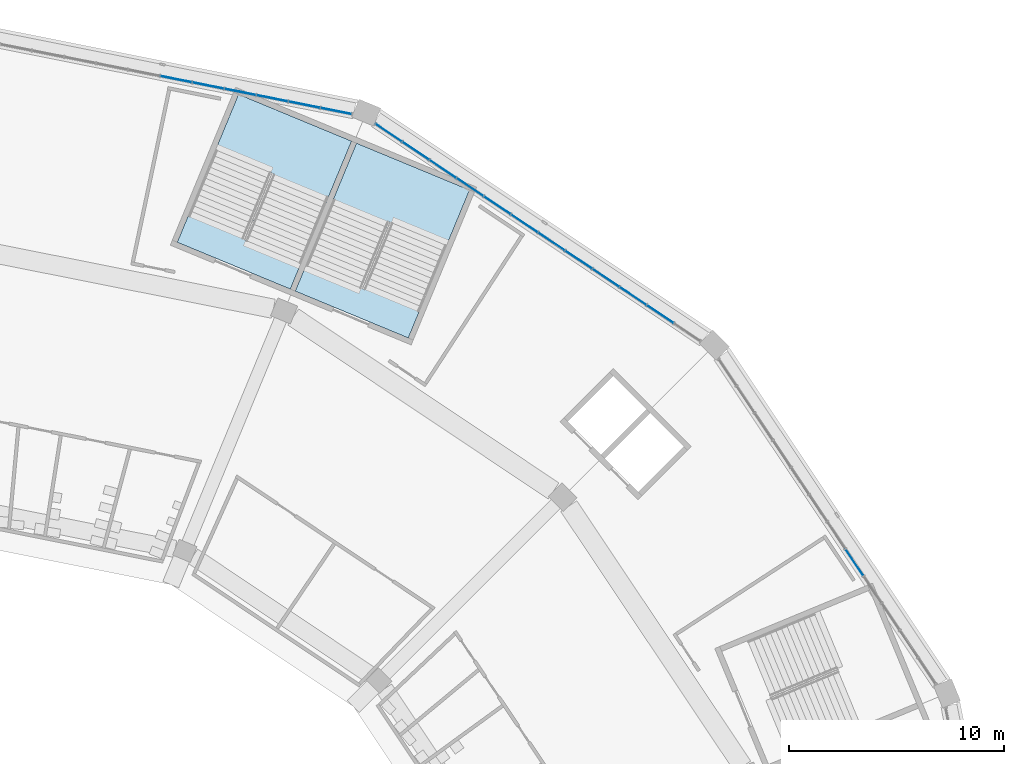
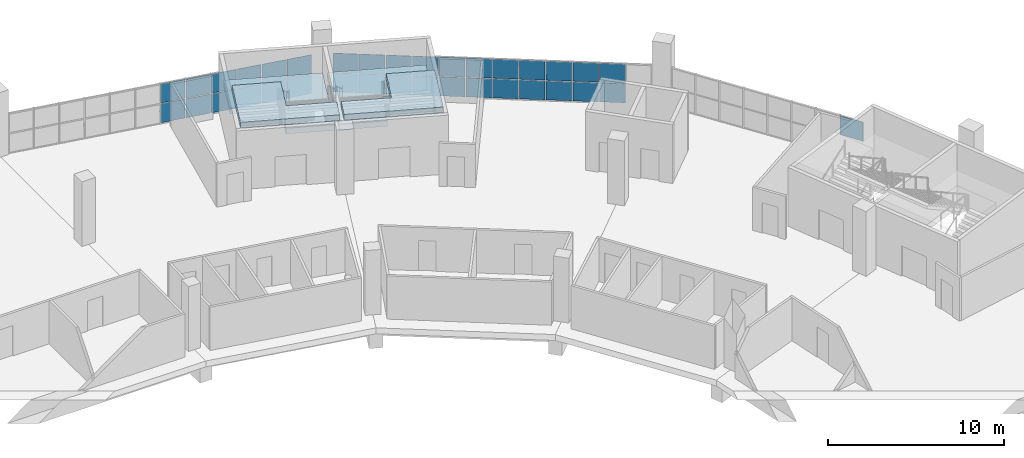
# One storey, part 73 of 199: 35 plates, 4 slabs, 5 elements without a shape of their own.
"""IFC4 building model written with IfcOpenShell, lengths in metres."""

from ifc_helpers import new_model, si_unit, direction, frame, origin, origin_2d, place, context, subcontext, project, spatial, polyline, rectangle, outline, extrude, material, layer, layer_set, type_object, element, aggregate, save


model = new_model("IFC4")

# Units and contexts
model_context = context("Model", 3, precision=1e-05, world=origin(), true_north=direction((0.0, 1.0)))
body_context = subcontext(model_context, "Body", "Model", "MODEL_VIEW")
ifc_project = project(units=[si_unit("LENGTHUNIT", "METRE"), si_unit("AREAUNIT", "SQUARE_METRE"), si_unit("VOLUMEUNIT", "CUBIC_METRE"), si_unit("PLANEANGLEUNIT", "RADIAN"), si_unit("MASSUNIT", "GRAM", prefix="KILO")], contexts=[model_context])

# Site, building, storey
site_placement = place(None, origin())
site = spatial("IfcSite", under=ifc_project, at=site_placement, CompositionType="ELEMENT")
building_placement = place(site_placement, origin())
building = spatial("IfcBuilding", under=site, at=building_placement, Name="Ogive Plaza Stadium", CompositionType="ELEMENT")
storey_placement = place(building_placement, frame((0.0, 0.0, 4.5)))
storey = spatial("IfcBuildingStorey", under=building, at=storey_placement, Name="L01", CompositionType="ELEMENT", Elevation=4.5)

# Curtain wall, plates
ifc_material_1 = material(Name="Bronze-anodised aluminium with laminated glass", Category="aluminium")
curtain_wall_type = type_object("IfcCurtainWallType", Name="Lancet curtain wall", PredefinedType="NOTDEFINED", material=ifc_material_1)
curtain_wall_1_placement = place(storey_placement, origin())
curtain_wall_1 = element("IfcCurtainWall", 1, at=curtain_wall_1_placement, inside=storey, type_object=curtain_wall_type, Name="CURTAIN WALL B37 L01", PredefinedType="NOTDEFINED")
ifc_material_2 = material(Name="Laminated glass", Category="glass")
ifc_layer_1 = layer(ifc_material_2, 0.028076171875)
ifc_layer_set_1 = layer_set([ifc_layer_1], Name="Laminated glass panel 28")
plate_type = type_object("IfcPlateType", Name="Laminated glass panel 28", PredefinedType="CURTAIN_PANEL", material=ifc_layer_set_1)
plate_1_placement = place(storey_placement, frame((44.274658203125, 100.25244140625, 0.0498046875), z_axis=(0.0, 0.0, 1.0), x_axis=(0.9807852804, -0.195090322033, 0.0)))
plate_1 = element("IfcPlate", 2, at=plate_1_placement, type_object=plate_type, Name="CW-B37-L01 panel 7.1", PredefinedType="CURTAIN_PANEL", context=body_context, shape_type="SweptSolid", body=[
    extrude(rectangle(XDim=1.472412109375, YDim=0.028076171875, at=origin_2d()), origin(), (0.0, 0.0, 1.0), 1.320068359375),
])
plate_2_placement = place(storey_placement, frame((44.274658203125, 100.25244140625, 1.419921875), z_axis=(0.0, 0.0, 1.0), x_axis=(0.9807852804, -0.195090322033, 0.0)))
plate_2 = element("IfcPlate", 3, at=plate_2_placement, type_object=plate_type, Name="CW-B37-L01 panel 7.2", PredefinedType="CURTAIN_PANEL", context=body_context, shape_type="SweptSolid", body=[
    extrude(rectangle(XDim=1.472412109375, YDim=0.028076171875, at=origin_2d()), origin(), (0.0, 0.0, 1.0), 1.320068359375),
])
plate_3_placement = place(storey_placement, frame((45.767822265625, 99.955322265625, 0.0498046875), z_axis=(0.0, 0.0, 1.0), x_axis=(0.9807852804, -0.195090322033, 0.0)))
plate_3 = element("IfcPlate", 4, at=plate_3_placement, type_object=plate_type, Name="CW-B37-L01 panel 8.1", PredefinedType="CURTAIN_PANEL", context=body_context, shape_type="SweptSolid", body=[
    extrude(rectangle(XDim=1.472412109375, YDim=0.028076171875, at=origin_2d()), origin(), (0.0, 0.0, 1.0), 1.320068359375),
])
plate_4_placement = place(storey_placement, frame((45.767822265625, 99.955322265625, 1.419921875), z_axis=(0.0, 0.0, 1.0), x_axis=(0.9807852804, -0.195090322033, 0.0)))
plate_4 = element("IfcPlate", 5, at=plate_4_placement, type_object=plate_type, Name="CW-B37-L01 panel 8.2", PredefinedType="CURTAIN_PANEL", context=body_context, shape_type="SweptSolid", body=[
    extrude(rectangle(XDim=1.472412109375, YDim=0.028076171875, at=origin_2d()), origin(), (0.0, 0.0, 1.0), 1.320068359375),
])
plate_5_placement = place(storey_placement, frame((47.2607421875, 99.658447265625, 0.0498046875), z_axis=(0.0, 0.0, 1.0), x_axis=(0.9807852804, -0.195090322033, 0.0)))
plate_5 = element("IfcPlate", 6, at=plate_5_placement, type_object=plate_type, Name="CW-B37-L01 panel 9.1", PredefinedType="CURTAIN_PANEL", context=body_context, shape_type="SweptSolid", body=[
    extrude(rectangle(XDim=1.472412109375, YDim=0.028076171875, at=origin_2d()), origin(), (0.0, 0.0, 1.0), 1.320068359375),
])
plate_6_placement = place(storey_placement, frame((47.2607421875, 99.658447265625, 1.419921875), z_axis=(0.0, 0.0, 1.0), x_axis=(0.9807852804, -0.195090322033, 0.0)))
plate_6 = element("IfcPlate", 7, at=plate_6_placement, type_object=plate_type, Name="CW-B37-L01 panel 9.2", PredefinedType="CURTAIN_PANEL", context=body_context, shape_type="SweptSolid", body=[
    extrude(rectangle(XDim=1.472412109375, YDim=0.028076171875, at=origin_2d()), origin(), (0.0, 0.0, 1.0), 1.320068359375),
])
plate_7_placement = place(storey_placement, frame((48.75390625, 99.361328125, 0.0498046875), z_axis=(0.0, 0.0, 1.0), x_axis=(0.9807852804, -0.195090322033, 0.0)))
plate_7 = element("IfcPlate", 8, at=plate_7_placement, type_object=plate_type, Name="CW-B37-L01 panel 10.1", PredefinedType="CURTAIN_PANEL", context=body_context, shape_type="SweptSolid", body=[
    extrude(rectangle(XDim=1.472412109375, YDim=0.028076171875, at=origin_2d()), origin(), (0.0, 0.0, 1.0), 1.320068359375),
])
plate_8_placement = place(storey_placement, frame((48.75390625, 99.361328125, 1.419921875), z_axis=(0.0, 0.0, 1.0), x_axis=(0.9807852804, -0.195090322033, 0.0)))
plate_8 = element("IfcPlate", 9, at=plate_8_placement, type_object=plate_type, Name="CW-B37-L01 panel 10.2", PredefinedType="CURTAIN_PANEL", context=body_context, shape_type="SweptSolid", body=[
    extrude(rectangle(XDim=1.472412109375, YDim=0.028076171875, at=origin_2d()), origin(), (0.0, 0.0, 1.0), 1.320068359375),
])
plate_9_placement = place(storey_placement, frame((50.2470703125, 99.064453125, 0.0498046875), z_axis=(0.0, 0.0, 1.0), x_axis=(0.9807852804, -0.195090322033, 0.0)))
plate_9 = element("IfcPlate", 10, at=plate_9_placement, type_object=plate_type, Name="CW-B37-L01 panel 11.1", PredefinedType="CURTAIN_PANEL", context=body_context, shape_type="SweptSolid", body=[
    extrude(rectangle(XDim=1.472412109375, YDim=0.028076171875, at=origin_2d()), origin(), (0.0, 0.0, 1.0), 1.320068359375),
])
plate_10_placement = place(storey_placement, frame((50.2470703125, 99.064453125, 1.419921875), z_axis=(0.0, 0.0, 1.0), x_axis=(0.9807852804, -0.195090322033, 0.0)))
plate_10 = element("IfcPlate", 11, at=plate_10_placement, type_object=plate_type, Name="CW-B37-L01 panel 11.2", PredefinedType="CURTAIN_PANEL", context=body_context, shape_type="SweptSolid", body=[
    extrude(rectangle(XDim=1.472412109375, YDim=0.028076171875, at=origin_2d()), origin(), (0.0, 0.0, 1.0), 1.320068359375),
])
plate_11_placement = place(storey_placement, frame((51.727783203125, 98.769775390625, 0.0498046875), z_axis=(0.0, 0.0, 1.0), x_axis=(0.9807852804, -0.195090322033, 0.0)))
plate_11 = element("IfcPlate", 12, at=plate_11_placement, type_object=plate_type, Name="CW-B37-L01 panel 12.1", PredefinedType="CURTAIN_PANEL", context=body_context, shape_type="SweptSolid", body=[
    extrude(rectangle(XDim=1.447265625, YDim=0.028076171875, at=origin_2d()), origin(), (0.0, 0.0, 1.0), 1.320068359375),
])
plate_12_placement = place(storey_placement, frame((51.727783203125, 98.769775390625, 1.419921875), z_axis=(0.0, 0.0, 1.0), x_axis=(0.9807852804, -0.195090322033, 0.0)))
plate_12 = element("IfcPlate", 13, at=plate_12_placement, type_object=plate_type, Name="CW-B37-L01 panel 12.2", PredefinedType="CURTAIN_PANEL", context=body_context, shape_type="SweptSolid", body=[
    extrude(rectangle(XDim=1.447265625, YDim=0.028076171875, at=origin_2d()), origin(), (0.0, 0.0, 1.0), 1.320068359375),
])
aggregate(curtain_wall_1, [plate_1, plate_2, plate_3, plate_4, plate_5, plate_6, plate_7, plate_8, plate_9, plate_10, plate_11, plate_12])

curtain_wall_2_placement = place(storey_placement, origin())
curtain_wall_2 = element("IfcCurtainWall", 14, at=curtain_wall_2_placement, inside=storey, type_object=curtain_wall_type, Name="CURTAIN WALL B38 L01", PredefinedType="NOTDEFINED")
plate_13_placement = place(storey_placement, frame((54.18212890625, 97.753173828125, 0.0498046875), z_axis=(0.0, 0.0, 1.0), x_axis=(0.831469612303, -0.55557023302, 0.0)))
plate_13 = element("IfcPlate", 15, at=plate_13_placement, type_object=plate_type, Name="CW-B38-L01 panel 1.1", PredefinedType="CURTAIN_PANEL", context=body_context, shape_type="SweptSolid", body=[
    extrude(rectangle(XDim=1.447265625, YDim=0.028076171875, at=origin_2d()), origin(), (0.0, 0.0, 1.0), 1.320068359375),
])
plate_14_placement = place(storey_placement, frame((54.18212890625, 97.753173828125, 1.419921875), z_axis=(0.0, 0.0, 1.0), x_axis=(0.831469612303, -0.55557023302, 0.0)))
plate_14 = element("IfcPlate", 16, at=plate_14_placement, type_object=plate_type, Name="CW-B38-L01 panel 1.2", PredefinedType="CURTAIN_PANEL", context=body_context, shape_type="SweptSolid", body=[
    extrude(rectangle(XDim=1.447265625, YDim=0.028076171875, at=origin_2d()), origin(), (0.0, 0.0, 1.0), 1.320068359375),
])
plate_15_placement = place(storey_placement, frame((55.4375, 96.914306640625, 0.0498046875), z_axis=(0.0, 0.0, 1.0), x_axis=(0.831469612303, -0.55557023302, 0.0)))
plate_15 = element("IfcPlate", 17, at=plate_15_placement, type_object=plate_type, Name="CW-B38-L01 panel 2.1", PredefinedType="CURTAIN_PANEL", context=body_context, shape_type="SweptSolid", body=[
    extrude(rectangle(XDim=1.472412109375, YDim=0.028076171875, at=origin_2d()), origin(), (0.0, 0.0, 1.0), 1.320068359375),
])
plate_16_placement = place(storey_placement, frame((55.4375, 96.914306640625, 1.419921875), z_axis=(0.0, 0.0, 1.0), x_axis=(0.831469612303, -0.55557023302, 0.0)))
plate_16 = element("IfcPlate", 18, at=plate_16_placement, type_object=plate_type, Name="CW-B38-L01 panel 2.2", PredefinedType="CURTAIN_PANEL", context=body_context, shape_type="SweptSolid", body=[
    extrude(rectangle(XDim=1.472412109375, YDim=0.028076171875, at=origin_2d()), origin(), (0.0, 0.0, 1.0), 1.320068359375),
])
plate_17_placement = place(storey_placement, frame((56.703369140625, 96.068603515625, 0.0498046875), z_axis=(0.0, 0.0, 1.0), x_axis=(0.831469612303, -0.55557023302, 0.0)))
plate_17 = element("IfcPlate", 19, at=plate_17_placement, type_object=plate_type, Name="CW-B38-L01 panel 3.1", PredefinedType="CURTAIN_PANEL", context=body_context, shape_type="SweptSolid", body=[
    extrude(rectangle(XDim=1.472412109375, YDim=0.028076171875, at=origin_2d()), origin(), (0.0, 0.0, 1.0), 1.320068359375),
])
plate_18_placement = place(storey_placement, frame((56.703369140625, 96.068603515625, 1.419921875), z_axis=(0.0, 0.0, 1.0), x_axis=(0.831469612303, -0.55557023302, 0.0)))
plate_18 = element("IfcPlate", 20, at=plate_18_placement, type_object=plate_type, Name="CW-B38-L01 panel 3.2", PredefinedType="CURTAIN_PANEL", context=body_context, shape_type="SweptSolid", body=[
    extrude(rectangle(XDim=1.472412109375, YDim=0.028076171875, at=origin_2d()), origin(), (0.0, 0.0, 1.0), 1.320068359375),
])
plate_19_placement = place(storey_placement, frame((57.96923828125, 95.222900390625, 0.0498046875), z_axis=(0.0, 0.0, 1.0), x_axis=(0.831469612303, -0.55557023302, 0.0)))
plate_19 = element("IfcPlate", 21, at=plate_19_placement, type_object=plate_type, Name="CW-B38-L01 panel 4.1", PredefinedType="CURTAIN_PANEL", context=body_context, shape_type="SweptSolid", body=[
    extrude(rectangle(XDim=1.472412109375, YDim=0.028076171875, at=origin_2d()), origin(), (0.0, 0.0, 1.0), 1.320068359375),
])
plate_20_placement = place(storey_placement, frame((57.96923828125, 95.222900390625, 1.419921875), z_axis=(0.0, 0.0, 1.0), x_axis=(0.831469612303, -0.55557023302, 0.0)))
plate_20 = element("IfcPlate", 22, at=plate_20_placement, type_object=plate_type, Name="CW-B38-L01 panel 4.2", PredefinedType="CURTAIN_PANEL", context=body_context, shape_type="SweptSolid", body=[
    extrude(rectangle(XDim=1.472412109375, YDim=0.028076171875, at=origin_2d()), origin(), (0.0, 0.0, 1.0), 1.320068359375),
])
plate_21_placement = place(storey_placement, frame((59.23486328125, 94.376953125, 0.0498046875), z_axis=(0.0, 0.0, 1.0), x_axis=(0.831469612303, -0.55557023302, 0.0)))
plate_21 = element("IfcPlate", 23, at=plate_21_placement, type_object=plate_type, Name="CW-B38-L01 panel 5.1", PredefinedType="CURTAIN_PANEL", context=body_context, shape_type="SweptSolid", body=[
    extrude(rectangle(XDim=1.472412109375, YDim=0.028076171875, at=origin_2d()), origin(), (0.0, 0.0, 1.0), 1.320068359375),
])
plate_22_placement = place(storey_placement, frame((59.23486328125, 94.376953125, 1.419921875), z_axis=(0.0, 0.0, 1.0), x_axis=(0.831469612303, -0.55557023302, 0.0)))
plate_22 = element("IfcPlate", 24, at=plate_22_placement, type_object=plate_type, Name="CW-B38-L01 panel 5.2", PredefinedType="CURTAIN_PANEL", context=body_context, shape_type="SweptSolid", body=[
    extrude(rectangle(XDim=1.472412109375, YDim=0.028076171875, at=origin_2d()), origin(), (0.0, 0.0, 1.0), 1.320068359375),
])
plate_23_placement = place(storey_placement, frame((60.500732421875, 93.53125, 0.0498046875), z_axis=(0.0, 0.0, 1.0), x_axis=(0.831469612303, -0.55557023302, 0.0)))
plate_23 = element("IfcPlate", 25, at=plate_23_placement, type_object=plate_type, Name="CW-B38-L01 panel 6.1", PredefinedType="CURTAIN_PANEL", context=body_context, shape_type="SweptSolid", body=[
    extrude(rectangle(XDim=1.472412109375, YDim=0.028076171875, at=origin_2d()), origin(), (0.0, 0.0, 1.0), 1.320068359375),
])
plate_24_placement = place(storey_placement, frame((60.500732421875, 93.53125, 1.419921875), z_axis=(0.0, 0.0, 1.0), x_axis=(0.831469612303, -0.55557023302, 0.0)))
plate_24 = element("IfcPlate", 26, at=plate_24_placement, type_object=plate_type, Name="CW-B38-L01 panel 6.2", PredefinedType="CURTAIN_PANEL", context=body_context, shape_type="SweptSolid", body=[
    extrude(rectangle(XDim=1.472412109375, YDim=0.028076171875, at=origin_2d()), origin(), (0.0, 0.0, 1.0), 1.320068359375),
])
plate_25_placement = place(storey_placement, frame((61.7666015625, 92.685546875, 0.0498046875), z_axis=(0.0, 0.0, 1.0), x_axis=(0.831469612303, -0.55557023302, 0.0)))
plate_25 = element("IfcPlate", 27, at=plate_25_placement, type_object=plate_type, Name="CW-B38-L01 panel 7.1", PredefinedType="CURTAIN_PANEL", context=body_context, shape_type="SweptSolid", body=[
    extrude(rectangle(XDim=1.472412109375, YDim=0.028076171875, at=origin_2d()), origin(), (0.0, 0.0, 1.0), 1.320068359375),
])
plate_26_placement = place(storey_placement, frame((61.7666015625, 92.685546875, 1.419921875), z_axis=(0.0, 0.0, 1.0), x_axis=(0.831469612303, -0.55557023302, 0.0)))
plate_26 = element("IfcPlate", 28, at=plate_26_placement, type_object=plate_type, Name="CW-B38-L01 panel 7.2", PredefinedType="CURTAIN_PANEL", context=body_context, shape_type="SweptSolid", body=[
    extrude(rectangle(XDim=1.472412109375, YDim=0.028076171875, at=origin_2d()), origin(), (0.0, 0.0, 1.0), 1.320068359375),
])
plate_27_placement = place(storey_placement, frame((63.0322265625, 91.839599609375, 0.0498046875), z_axis=(0.0, 0.0, 1.0), x_axis=(0.831469612303, -0.55557023302, 0.0)))
plate_27 = element("IfcPlate", 29, at=plate_27_placement, type_object=plate_type, Name="CW-B38-L01 panel 8.1", PredefinedType="CURTAIN_PANEL", context=body_context, shape_type="SweptSolid", body=[
    extrude(rectangle(XDim=1.472412109375, YDim=0.028076171875, at=origin_2d()), origin(), (0.0, 0.0, 1.0), 1.320068359375),
])
plate_28_placement = place(storey_placement, frame((63.0322265625, 91.839599609375, 1.419921875), z_axis=(0.0, 0.0, 1.0), x_axis=(0.831469612303, -0.55557023302, 0.0)))
plate_28 = element("IfcPlate", 30, at=plate_28_placement, type_object=plate_type, Name="CW-B38-L01 panel 8.2", PredefinedType="CURTAIN_PANEL", context=body_context, shape_type="SweptSolid", body=[
    extrude(rectangle(XDim=1.472412109375, YDim=0.028076171875, at=origin_2d()), origin(), (0.0, 0.0, 1.0), 1.320068359375),
])
plate_29_placement = place(storey_placement, frame((64.298095703125, 90.993896484375, 0.0498046875), z_axis=(0.0, 0.0, 1.0), x_axis=(0.831469612303, -0.55557023302, 0.0)))
plate_29 = element("IfcPlate", 31, at=plate_29_placement, type_object=plate_type, Name="CW-B38-L01 panel 9.1", PredefinedType="CURTAIN_PANEL", context=body_context, shape_type="SweptSolid", body=[
    extrude(rectangle(XDim=1.472412109375, YDim=0.028076171875, at=origin_2d()), origin(), (0.0, 0.0, 1.0), 1.320068359375),
])
plate_30_placement = place(storey_placement, frame((64.298095703125, 90.993896484375, 1.419921875), z_axis=(0.0, 0.0, 1.0), x_axis=(0.831469612303, -0.55557023302, 0.0)))
plate_30 = element("IfcPlate", 32, at=plate_30_placement, type_object=plate_type, Name="CW-B38-L01 panel 9.2", PredefinedType="CURTAIN_PANEL", context=body_context, shape_type="SweptSolid", body=[
    extrude(rectangle(XDim=1.472412109375, YDim=0.028076171875, at=origin_2d()), origin(), (0.0, 0.0, 1.0), 1.320068359375),
])
plate_31_placement = place(storey_placement, frame((65.56396484375, 90.148193359375, 0.0498046875), z_axis=(0.0, 0.0, 1.0), x_axis=(0.831469612303, -0.55557023302, 0.0)))
plate_31 = element("IfcPlate", 33, at=plate_31_placement, type_object=plate_type, Name="CW-B38-L01 panel 10.1", PredefinedType="CURTAIN_PANEL", context=body_context, shape_type="SweptSolid", body=[
    extrude(rectangle(XDim=1.472412109375, YDim=0.028076171875, at=origin_2d()), origin(), (0.0, 0.0, 1.0), 1.320068359375),
])
plate_32_placement = place(storey_placement, frame((65.56396484375, 90.148193359375, 1.419921875), z_axis=(0.0, 0.0, 1.0), x_axis=(0.831469612303, -0.55557023302, 0.0)))
plate_32 = element("IfcPlate", 34, at=plate_32_placement, type_object=plate_type, Name="CW-B38-L01 panel 10.2", PredefinedType="CURTAIN_PANEL", context=body_context, shape_type="SweptSolid", body=[
    extrude(rectangle(XDim=1.472412109375, YDim=0.028076171875, at=origin_2d()), origin(), (0.0, 0.0, 1.0), 1.320068359375),
])
plate_33_placement = place(storey_placement, frame((66.82958984375, 89.302490234375, 0.0498046875), z_axis=(0.0, 0.0, 1.0), x_axis=(0.831469612303, -0.55557023302, 0.0)))
plate_33 = element("IfcPlate", 35, at=plate_33_placement, type_object=plate_type, Name="CW-B38-L01 panel 11.1", PredefinedType="CURTAIN_PANEL", context=body_context, shape_type="SweptSolid", body=[
    extrude(rectangle(XDim=1.472412109375, YDim=0.028076171875, at=origin_2d()), origin(), (0.0, 0.0, 1.0), 1.320068359375),
])
plate_34_placement = place(storey_placement, frame((66.82958984375, 89.302490234375, 1.419921875), z_axis=(0.0, 0.0, 1.0), x_axis=(0.831469612303, -0.55557023302, 0.0)))
plate_34 = element("IfcPlate", 36, at=plate_34_placement, type_object=plate_type, Name="CW-B38-L01 panel 11.2", PredefinedType="CURTAIN_PANEL", context=body_context, shape_type="SweptSolid", body=[
    extrude(rectangle(XDim=1.472412109375, YDim=0.028076171875, at=origin_2d()), origin(), (0.0, 0.0, 1.0), 1.320068359375),
])
aggregate(curtain_wall_2, [plate_13, plate_14, plate_15, plate_16, plate_17, plate_18, plate_19, plate_20, plate_21, plate_22, plate_23, plate_24, plate_25, plate_26, plate_27, plate_28, plate_29, plate_30, plate_31, plate_32, plate_33, plate_34])

# Curtain wall, plate
curtain_wall_3_placement = place(storey_placement, origin())
curtain_wall_3 = element("IfcCurtainWall", 37, at=curtain_wall_3_placement, inside=storey, type_object=curtain_wall_type, Name="CURTAIN WALL B39 L01", PredefinedType="NOTDEFINED")
plate_35_placement = place(storey_placement, frame((75.876953125, 77.73486328125, 1.419921875), z_axis=(0.0, 0.0, 1.0), x_axis=(0.55557023302, -0.831469612303, 0.0)))
plate_35 = element("IfcPlate", 38, at=plate_35_placement, type_object=plate_type, Name="CW-B39-L01 panel 8.2", PredefinedType="CURTAIN_PANEL", context=body_context, shape_type="SweptSolid", body=[
    extrude(rectangle(XDim=1.472412109375, YDim=0.028076171875, at=origin_2d()), origin(), (0.0, 0.0, 1.0), 1.320068359375),
])
aggregate(curtain_wall_3, [plate_35])

# Stair, slabs
ifc_material_3 = material(Name="Concrete C40/50", Category="concrete")
stair_type = type_object("IfcStairType", Name="Exit stair", PredefinedType="STRAIGHT_RUN_STAIR", material=ifc_material_3)
stair_1_placement = place(storey_placement, origin())
stair_1 = element("IfcStair", 39, at=stair_1_placement, inside=storey, type_object=stair_type, Name="Exit stair ST38A L01 to L02", PredefinedType="STRAIGHT_RUN_STAIR")
ifc_material_4 = material(Name="Concrete C40/50", Category="concrete")
ifc_layer_2 = layer(ifc_material_4, 0.39990234375)
ifc_layer_set_2 = layer_set([ifc_layer_2], Name="Concrete C40/50")
slab_type = type_object("IfcSlabType", Name="Stair landing", PredefinedType="LANDING", material=ifc_layer_set_2)
slab_1_placement = place(storey_placement, frame((0.0, 0.0, 1.85009765625)))
slab_1 = element("IfcSlab", 40, at=slab_1_placement, type_object=slab_type, Name="ST38A landing 1", PredefinedType="LANDING", context=body_context, shape_type="SweptSolid", body=[
    extrude(outline(polyline([(52.679443359375, 97.26953125), (57.945556640625, 95.08837890625), (56.8740234375, 92.50146484375), (54.19482421875, 93.611083984375), (53.2763671875, 91.393798828125), (50.689453125, 92.46533203125), (51.60791015625, 94.6826171875), (52.679443359375, 97.26953125)])), origin(), (0.0, 0.0, 1.0), 0.39990234375),
])
slab_2_placement = place(storey_placement, frame((0.0, 0.0, 4.10009765625)))
slab_2 = element("IfcSlab", 41, at=slab_2_placement, type_object=slab_type, Name="ST38A landing 2", PredefinedType="LANDING", context=body_context, shape_type="SweptSolid", body=[
    extrude(outline(polyline([(53.919921875, 92.68603515625), (56.506591796875, 91.614501953125), (55.588134765625, 89.397216796875), (55.0908203125, 88.196044921875), (49.82470703125, 90.37744140625), (50.322021484375, 91.578369140625), (53.00146484375, 90.46875), (53.919921875, 92.68603515625)])), origin(), (0.0, 0.0, 1.0), 0.39990234375),
])
aggregate(stair_1, [slab_1, slab_2])

stair_2_placement = place(storey_placement, origin())
stair_2 = element("IfcStair", 42, at=stair_2_placement, inside=storey, type_object=stair_type, Name="Exit stair ST38B L01 to L02", PredefinedType="STRAIGHT_RUN_STAIR")
slab_3_placement = place(storey_placement, frame((0.0, 0.0, 1.85009765625)))
slab_3 = element("IfcSlab", 43, at=slab_3_placement, type_object=slab_type, Name="ST38B landing 1", PredefinedType="LANDING", context=body_context, shape_type="SweptSolid", body=[
    extrude(outline(polyline([(50.45849609375, 92.56103515625), (47.87158203125, 93.632568359375), (48.7900390625, 95.849853515625), (46.11083984375, 96.959716796875), (47.182373046875, 99.546630859375), (52.448486328125, 97.365234375), (51.376953125, 94.7783203125), (50.45849609375, 92.56103515625)])), origin(), (0.0, 0.0, 1.0), 0.39990234375),
])
slab_4_placement = place(storey_placement, frame((0.0, 0.0, 4.10009765625)))
slab_4 = element("IfcSlab", 44, at=slab_4_placement, type_object=slab_type, Name="ST38B landing 2", PredefinedType="LANDING", context=body_context, shape_type="SweptSolid", body=[
    extrude(outline(polyline([(50.091064453125, 91.674072265625), (49.59375, 90.47314453125), (44.32763671875, 92.654296875), (44.824951171875, 93.85546875), (45.743408203125, 96.07275390625), (48.330322265625, 95.001220703125), (47.411865234375, 92.783935546875), (50.091064453125, 91.674072265625)])), origin(), (0.0, 0.0, 1.0), 0.39990234375),
])
aggregate(stair_2, [slab_3, slab_4])

save(model, "model.ifc")
